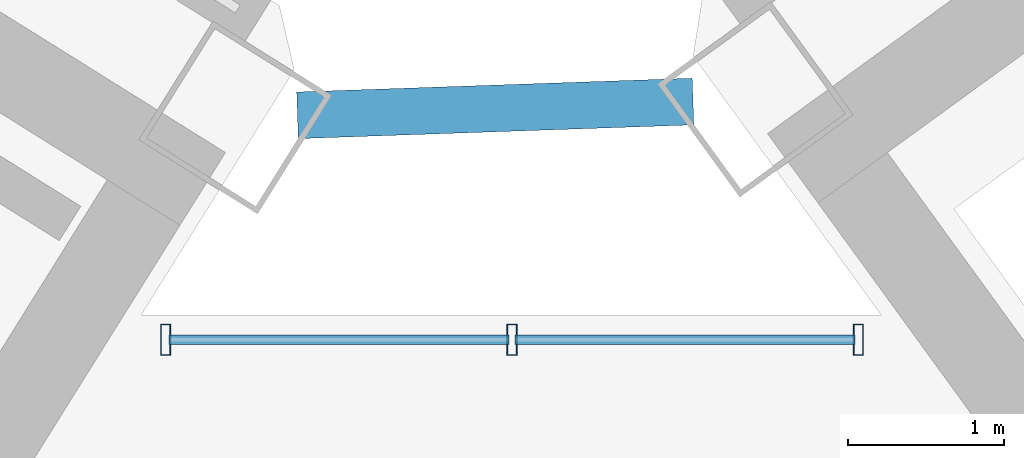
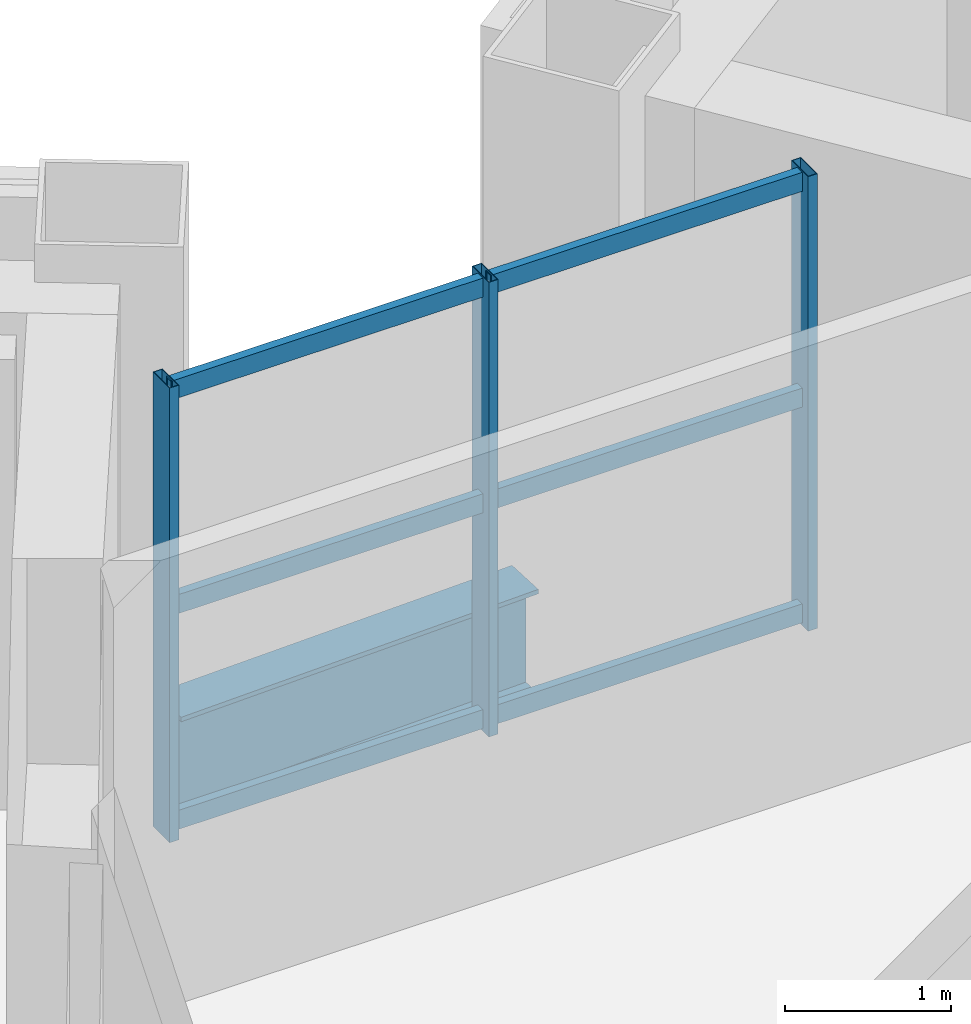
# One storey, part 12 of 29: 9 members, 1 beam, 1 element without a shape of its own.
"""IFC4 building model written with IfcOpenShell, lengths in metres."""

import ifcopenshell
import ifcopenshell.guid

model = None  # the IFC model being written
_history = None  # IfcOwnerHistory: only IFC2X3 demands one
_inside = {}  # id of a spatial element -> (the spatial element, [elements in it])
_under = {}  # id of a project, library or spatial element -> (it, [spatial elements below it])
_declared = {}  # id of a project -> (the project, [libraries it declares])
_typed = {}  # id of a type object -> (the type object, [elements of that type])
_made_of = {}  # id of a material, layer set ... -> (it, [elements and type objects made of it])


def new_model(schema):
    """Start an empty IFC model of exactly this schema.

    Asked for "IFC4X3", IfcOpenShell would pick the latest addendum, in which some entities
    have other attributes; the version numbers below select the first issue.
    IFC2X3 requires an IfcOwnerHistory on every rooted entity: one is made here for all.
    """
    global model, _history
    if schema == "IFC4X3":
        model = ifcopenshell.file(schema_version=(4, 3, 0, 0))
    else:
        model = ifcopenshell.file(schema=schema)
    _inside.clear()
    _under.clear()
    _declared.clear()
    _typed.clear()
    _made_of.clear()
    _history = None
    if model.schema == "IFC2X3":
        org = make("IfcOrganization", Name="unknown")
        user = make(
            "IfcPersonAndOrganization",
            ThePerson=make("IfcPerson", FamilyName="unknown"),
            TheOrganization=org,
        )
        app = make(
            "IfcApplication",
            ApplicationDeveloper=org,
            Version="unknown",
            ApplicationFullName="unknown",
            ApplicationIdentifier="unknown",
        )
        _history = make(
            "IfcOwnerHistory",
            OwningUser=user,
            OwningApplication=app,
            ChangeAction="ADDED",
            CreationDate=0,
        )
    return model


def make(cls, **values):
    """One entity of the class cls with the attributes given. An attribute that is None is left unset."""
    return model.create_entity(
        cls, **{name: value for name, value in values.items() if value is not None}
    )


def rooted(cls, **values):
    """An entity with a GlobalId (a new one), such as an element, a storey or a relation."""
    return make(cls, GlobalId=ifcopenshell.guid.new(), OwnerHistory=_history, **values)


def si_unit(unit_type, name, prefix=None):
    """IfcSIUnit, for example si_unit("LENGTHUNIT", "METRE", prefix="MILLI")."""
    return make("IfcSIUnit", UnitType=unit_type, Prefix=prefix, Name=name)


def assignment(units):
    """IfcUnitAssignment: the units of a project."""
    return None if units is None else make("IfcUnitAssignment", Units=units)


def point(xyz):
    """IfcCartesianPoint."""
    return None if xyz is None else make("IfcCartesianPoint", Coordinates=xyz)


def direction(xyz):
    """IfcDirection."""
    return None if xyz is None else make("IfcDirection", DirectionRatios=xyz)


def frame(location, z_axis=None, x_axis=None):
    """IfcAxis2Placement3D, a coordinate frame: its origin and axes. An axis left out is left unset."""
    return make(
        "IfcAxis2Placement3D",
        Location=point(location),
        Axis=direction(z_axis),
        RefDirection=direction(x_axis),
    )


def frame_2d(location, x_axis=None):
    """IfcAxis2Placement2D, a coordinate frame in the plane: its origin and x axis."""
    return make(
        "IfcAxis2Placement2D", Location=point(location), RefDirection=direction(x_axis)
    )


def origin():
    """The frame at (0, 0, 0) with its axes left unset."""
    return frame((0.0, 0.0, 0.0))


def origin_2d():
    """The frame at (0, 0) in the plane with its x axis left unset."""
    return frame_2d((0.0, 0.0))


def place(relative_to, where):
    """IfcLocalPlacement: puts the frame where relative to a parent placement (None: the world)."""
    return make(
        "IfcLocalPlacement", PlacementRelTo=relative_to, RelativePlacement=where
    )


def context(
    kind, dimensions, precision=None, world=None, true_north=None, identifier=None
):
    """IfcGeometricRepresentationContext, for example the 3D "Model" context."""
    return make(
        "IfcGeometricRepresentationContext",
        ContextIdentifier=identifier,
        ContextType=kind,
        CoordinateSpaceDimension=dimensions,
        Precision=precision,
        WorldCoordinateSystem=world,
        TrueNorth=true_north,
    )


def subcontext(parent, identifier, kind, view, scale=None):
    """IfcGeometricRepresentationSubContext, for example "Body" below "Model"."""
    return make(
        "IfcGeometricRepresentationSubContext",
        ContextIdentifier=identifier,
        ContextType=kind,
        ParentContext=parent,
        TargetScale=scale,
        TargetView=view,
    )


def project(units=None, contexts=None):
    """IfcProject with its units and contexts."""
    return rooted(
        "IfcProject",
        Name="project",
        RepresentationContexts=contexts,
        UnitsInContext=assignment(units),
    )


def spatial(cls, under=None, at=None, **own):
    """A site, building, storey or space (cls), placed at a placement, below another one or the project."""
    s = rooted(cls, ObjectPlacement=at, **own)
    if under is not None:
        _under.setdefault(under.id(), (under, []))[1].append(s)
    return s


def profile(cls, at=None, kind="AREA", **sizes):
    """A parametric profile (cls). Its sizes go by their IFC names, for example OverallWidth=200.0."""
    return make(cls, ProfileType=kind, Position=at, **sizes)


def hollow_rectangle(**sizes):
    """IfcRectangleHollowProfileDef."""
    return profile("IfcRectangleHollowProfileDef", **sizes)


def i_section(**sizes):
    """IfcIShapeProfileDef."""
    return profile("IfcIShapeProfileDef", **sizes)


def extrude(swept, where, along, depth):
    """IfcExtrudedAreaSolid: the profile swept, set in the frame where, extruded along a direction by depth."""
    return make(
        "IfcExtrudedAreaSolid",
        SweptArea=swept,
        Position=where,
        ExtrudedDirection=direction(along),
        Depth=depth,
    )


def shape(context_of_items, identifier, shape_type, items):
    """IfcShapeRepresentation: the items that make up one representation, for example the "Body"."""
    return make(
        "IfcShapeRepresentation",
        ContextOfItems=context_of_items,
        RepresentationIdentifier=identifier,
        RepresentationType=shape_type,
        Items=items,
    )


def source(mapping_origin, context_of_items, identifier, shape_type, items):
    """IfcRepresentationMap: a shape defined once, which mapped items show again and again."""
    return make(
        "IfcRepresentationMap",
        MappingOrigin=mapping_origin,
        MappedRepresentation=shape(context_of_items, identifier, shape_type, items),
    )


def transform(
    local_origin,
    x_axis=None,
    y_axis=None,
    z_axis=None,
    scale=None,
    scale2=None,
    scale3=None,
    uniform=True,
):
    """IfcCartesianTransformationOperator3D, or its non-uniform kind. x_axis, y_axis, z_axis: its Axis1, 2, 3."""
    if uniform:
        return make(
            "IfcCartesianTransformationOperator3D",
            Axis1=direction(x_axis),
            Axis2=direction(y_axis),
            LocalOrigin=point(local_origin),
            Scale=scale,
            Axis3=direction(z_axis),
        )
    return make(
        "IfcCartesianTransformationOperator3DnonUniform",
        Axis1=direction(x_axis),
        Axis2=direction(y_axis),
        LocalOrigin=point(local_origin),
        Scale=scale,
        Axis3=direction(z_axis),
        Scale2=scale2,
        Scale3=scale3,
    )


def mapped(mapping_source, mapping_target):
    """IfcMappedItem: shows the shape of a source again, moved by a transform."""
    return make(
        "IfcMappedItem", MappingSource=mapping_source, MappingTarget=mapping_target
    )


def material(Name=None, Category=None):
    """IfcMaterial."""
    return make("IfcMaterial", Name=Name, Category=Category)


def material_profile(
    of_material, cross_section, Name=None, Category=None, Priority=None
):
    """IfcMaterialProfile: a cross section and its material."""
    return make(
        "IfcMaterialProfile",
        Name=Name,
        Material=of_material,
        Profile=cross_section,
        Priority=Priority,
        Category=Category,
    )


def profile_set(profiles, Name=None, composite=None):
    """IfcMaterialProfileSet."""
    return make(
        "IfcMaterialProfileSet",
        Name=Name,
        MaterialProfiles=profiles,
        CompositeProfile=composite,
    )


def made_of(thing, what):
    """Note that an element or type object is made of a material, layer set ...; save() writes the relation."""
    if what is not None:
        _made_of.setdefault(what.id(), (what, []))[1].append(thing)
    return thing


def type_object(cls, material=None, **own):
    """A type object (cls), such as IfcWallType, which elements share."""
    return made_of(rooted(cls, **own), material)


def element(
    cls,
    number,
    at=None,
    inside=None,
    cuts=None,
    type_object=None,
    material=None,
    context=None,
    identifier="Body",
    shape_type=None,
    held_by="IfcProductDefinitionShape",
    body=None,
    shapes=None,
    **own,
):
    """One element of the class cls, such as IfcWall. Its Tag is "e" and its number.

    at: its placement. inside: the storey or other place that contains it. cuts: it is an
    opening in that element (IfcRelVoidsElement). A single representation is given by context,
    identifier, shape_type and body (its items); several are given by shapes. held_by: the class
    of the entity that holds the representations. save() writes the other relations.
    """
    e = rooted(cls, Tag="e%d" % number, ObjectPlacement=at, **own)
    if body is not None:
        shapes = [shape(context, identifier, shape_type, body)]
    if shapes is not None:
        e.Representation = make(held_by, Representations=shapes)
    if inside is not None:
        _inside.setdefault(inside.id(), (inside, []))[1].append(e)
    if cuts is not None:
        rooted(
            "IfcRelVoidsElement", RelatingBuildingElement=cuts, RelatedOpeningElement=e
        )
    if type_object is not None:
        _typed.setdefault(type_object.id(), (type_object, []))[1].append(e)
    return made_of(e, material)


def aggregate(whole, parts):
    """IfcRelAggregates: a whole, such as a stair, and the parts it consists of."""
    return rooted("IfcRelAggregates", RelatingObject=whole, RelatedObjects=parts)


def save(model, path):
    """Write the relations noted so far, then the file.

    IfcRelAggregates (storeys below a building ...), IfcRelContainedInSpatialStructure (elements
    in a storey), IfcRelDefinesByType, IfcRelAssociatesMaterial and IfcRelDeclares: one each for
    every whole, place, type object, material and project.
    """
    for whole, parts in _under.values():
        aggregate(whole, parts)
    for where, things in _inside.values():
        rooted(
            "IfcRelContainedInSpatialStructure",
            RelatedElements=things,
            RelatingStructure=where,
        )
    for kind, things in _typed.values():
        rooted("IfcRelDefinesByType", RelatedObjects=things, RelatingType=kind)
    for what, things in _made_of.values():
        rooted("IfcRelAssociatesMaterial", RelatedObjects=things, RelatingMaterial=what)
    for by, libraries in _declared.values():
        rooted("IfcRelDeclares", RelatingContext=by, RelatedDefinitions=libraries)
    model.write(path)


model = new_model("IFC4")

# Units and contexts
model_context = context("Model", 3, precision=1e-05, world=origin(), true_north=direction((0.0, 1.0)))
body_context = subcontext(model_context, "Body", "Model", "MODEL_VIEW")
ifc_project = project(units=[si_unit("LENGTHUNIT", "METRE"), si_unit("AREAUNIT", "SQUARE_METRE"), si_unit("VOLUMEUNIT", "CUBIC_METRE"), si_unit("PLANEANGLEUNIT", "RADIAN"), si_unit("MASSUNIT", "GRAM", prefix="KILO")], contexts=[model_context])

# Site, building, storey
site_placement = place(None, origin())
site = spatial("IfcSite", under=ifc_project, at=site_placement, CompositionType="ELEMENT")
building_placement = place(site_placement, origin())
building = spatial("IfcBuilding", under=site, at=building_placement, Name="Tlacorven Tower", CompositionType="ELEMENT")
storey_placement = place(building_placement, frame((0.0, 0.0, 165.89990234375)))
storey = spatial("IfcBuildingStorey", under=building, at=storey_placement, Name="L42", CompositionType="ELEMENT", Elevation=165.89990234375)

# Beam
ifc_material_1 = material(Name="Steel S355J2", Category="steel")
ifc_material_profile_1 = material_profile(ifc_material_1, i_section(OverallWidth=0.300048828125, OverallDepth=0.800048828125, WebThickness=0.017578125, FlangeThickness=0.032958984375, at=origin_2d()), Name="HEB 800")
ifc_profile_set_1 = profile_set([ifc_material_profile_1], Name="Steel S355J2")
beam_type = type_object("IfcBeamType", Name="BM-POD-800", PredefinedType="BEAM", material=ifc_profile_set_1)
shared_shape_1 = source(origin(), body_context, "Body", "SweptSolid", [
    extrude(i_section(OverallWidth=0.300048828125, OverallDepth=0.800048828125, WebThickness=0.017578125, FlangeThickness=0.032958984375, at=origin_2d()), origin(), (0.0, 0.0, 1.0), 2.542724609375),
])
beam_placement = place(storey_placement, frame((41.1826171875, 24.482421875, -0.64990234375), z_axis=(0.999392467766, 0.034852480142, 0.0), x_axis=(-0.034852480142, 0.999392467766, 0.0)))
element("IfcBeam", 1, at=beam_placement, inside=storey, type_object=beam_type, Name="L42 Knuckle Link Girder 1", PredefinedType="BEAM", context=body_context, shape_type="MappedRepresentation", body=[
    mapped(shared_shape_1, transform((0.0, 0.0, 0.0), scale=1.0)),
])

# Curtain wall, members
ifc_material_2 = material(Name="Dark solar low-E double glazing in aluminium frame", Category="aluminium")
curtain_wall_type = type_object("IfcCurtainWallType", Name="CW-TWR-MID", PredefinedType="USERDEFINED", material=ifc_material_2)
curtain_wall_placement = place(storey_placement, origin())
curtain_wall = element("IfcCurtainWall", 2, at=curtain_wall_placement, inside=storey, type_object=curtain_wall_type, Name="L42 CW-TWR-MID Curtain Wall 195", ObjectType="UNITISED CURTAIN WALL", PredefinedType="USERDEFINED")
ifc_material_3 = material(Name="Aluminium 6063-T6 anodised", Category="aluminium")
ifc_material_profile_2 = material_profile(ifc_material_3, hollow_rectangle(XDim=0.06005859375, YDim=0.139892578125, WallThickness=0.00390625, at=origin_2d()), Name="ALU TRANSOM 60X140")
ifc_profile_set_2 = profile_set([ifc_material_profile_2], Name="Aluminium 6063-T6 anodised")
member_type_1 = type_object("IfcMemberType", Name="CWT-02", PredefinedType="USERDEFINED", material=ifc_profile_set_2)
shared_shape_2 = source(origin(), body_context, "Body", "SweptSolid", [
    extrude(hollow_rectangle(XDim=0.06005859375, YDim=0.139892578125, WallThickness=0.00390625, at=origin_2d()), origin(), (0.0, 0.0, 1.0), 2.184326171875),
])
member_1_placement = place(storey_placement, frame((40.35595703125, 23.0400390625, 0.070068359375), z_axis=(1.0, 0.0, 0.0), x_axis=(0.0, 1.0, 0.0)))
member_1 = element("IfcMember", 3, at=member_1_placement, type_object=member_type_1, Name="CW-L42-195 Transom 1", ObjectType="TRANSOM", PredefinedType="USERDEFINED", context=body_context, shape_type="MappedRepresentation", body=[
    mapped(shared_shape_2, transform((0.0, 0.0, 0.0), scale=1.0)),
])
member_2_placement = place(storey_placement, frame((40.35595703125, 23.0400390625, 1.66015625), z_axis=(1.0, 0.0, 0.0), x_axis=(0.0, 1.0, 0.0)))
member_2 = element("IfcMember", 4, at=member_2_placement, type_object=member_type_1, Name="CW-L42-195 Transom 2", ObjectType="TRANSOM", PredefinedType="USERDEFINED", context=body_context, shape_type="MappedRepresentation", body=[
    mapped(shared_shape_2, transform((0.0, 0.0, 0.0), scale=1.0)),
])
member_3_placement = place(storey_placement, frame((40.35595703125, 23.0400390625, 3.25), z_axis=(1.0, 0.0, 0.0), x_axis=(0.0, 1.0, 0.0)))
member_3 = element("IfcMember", 5, at=member_3_placement, type_object=member_type_1, Name="CW-L42-195 Transom 3", ObjectType="TRANSOM", PredefinedType="USERDEFINED", context=body_context, shape_type="MappedRepresentation", body=[
    mapped(shared_shape_2, transform((0.0, 0.0, 0.0), scale=1.0)),
])
member_4_placement = place(storey_placement, frame((42.581298828125, 23.0400390625, 0.070068359375), z_axis=(1.0, 0.0, 0.0), x_axis=(0.0, 1.0, 0.0)))
member_4 = element("IfcMember", 6, at=member_4_placement, type_object=member_type_1, Name="CW-L42-195 Transom 4", ObjectType="TRANSOM", PredefinedType="USERDEFINED", context=body_context, shape_type="MappedRepresentation", body=[
    mapped(shared_shape_2, transform((0.0, 0.0, 0.0), scale=1.0)),
])
member_5_placement = place(storey_placement, frame((42.581298828125, 23.0400390625, 1.66015625), z_axis=(1.0, 0.0, 0.0), x_axis=(0.0, 1.0, 0.0)))
member_5 = element("IfcMember", 7, at=member_5_placement, type_object=member_type_1, Name="CW-L42-195 Transom 5", ObjectType="TRANSOM", PredefinedType="USERDEFINED", context=body_context, shape_type="MappedRepresentation", body=[
    mapped(shared_shape_2, transform((0.0, 0.0, 0.0), scale=1.0)),
])
member_6_placement = place(storey_placement, frame((42.581298828125, 23.0400390625, 3.25), z_axis=(1.0, 0.0, 0.0), x_axis=(0.0, 1.0, 0.0)))
member_6 = element("IfcMember", 8, at=member_6_placement, type_object=member_type_1, Name="CW-L42-195 Transom 6", ObjectType="TRANSOM", PredefinedType="USERDEFINED", context=body_context, shape_type="MappedRepresentation", body=[
    mapped(shared_shape_2, transform((0.0, 0.0, 0.0), scale=1.0)),
])
ifc_material_profile_3 = material_profile(ifc_material_3, hollow_rectangle(XDim=0.06494140625, YDim=0.199951171875, WallThickness=0.00439453125, at=origin_2d()), Name="ALU MULLION 65X200")
ifc_profile_set_3 = profile_set([ifc_material_profile_3], Name="Aluminium 6063-T6 anodised")
member_type_2 = type_object("IfcMemberType", Name="CWM-02", PredefinedType="MULLION", material=ifc_profile_set_3)
shared_shape_3 = source(origin(), body_context, "Body", "SweptSolid", [
    extrude(hollow_rectangle(XDim=0.06494140625, YDim=0.199951171875, WallThickness=0.00439453125, at=origin_2d()), origin(), (0.0, 0.0, 1.0), 3.35009765625),
])
member_7_placement = place(storey_placement, frame((40.33544921875, 23.0400390625, -0.02001953125), z_axis=(0.0, 0.0, 1.0), x_axis=(1.0, 0.0, 0.0)))
member_7 = element("IfcMember", 9, at=member_7_placement, type_object=member_type_2, Name="CW-L42-195 Mullion 1", PredefinedType="MULLION", context=body_context, shape_type="MappedRepresentation", body=[
    mapped(shared_shape_3, transform((0.0, 0.0, 0.0), scale=1.0)),
])
member_8_placement = place(storey_placement, frame((42.560791015625, 23.0400390625, -0.02001953125), z_axis=(0.0, 0.0, 1.0), x_axis=(1.0, 0.0, 0.0)))
member_8 = element("IfcMember", 10, at=member_8_placement, type_object=member_type_2, Name="CW-L42-195 Mullion 2", PredefinedType="MULLION", context=body_context, shape_type="MappedRepresentation", body=[
    mapped(shared_shape_3, transform((0.0, 0.0, 0.0), scale=1.0)),
])
member_9_placement = place(storey_placement, frame((44.7861328125, 23.0400390625, -0.02001953125), z_axis=(0.0, 0.0, 1.0), x_axis=(1.0, 0.0, 0.0)))
member_9 = element("IfcMember", 11, at=member_9_placement, type_object=member_type_2, Name="CW-L42-195 Mullion 3", PredefinedType="MULLION", context=body_context, shape_type="MappedRepresentation", body=[
    mapped(shared_shape_3, transform((0.0, 0.0, 0.0), scale=1.0)),
])
aggregate(curtain_wall, [member_7, member_8, member_9, member_1, member_2, member_3, member_4, member_5, member_6])

save(model, "model.ifc")
